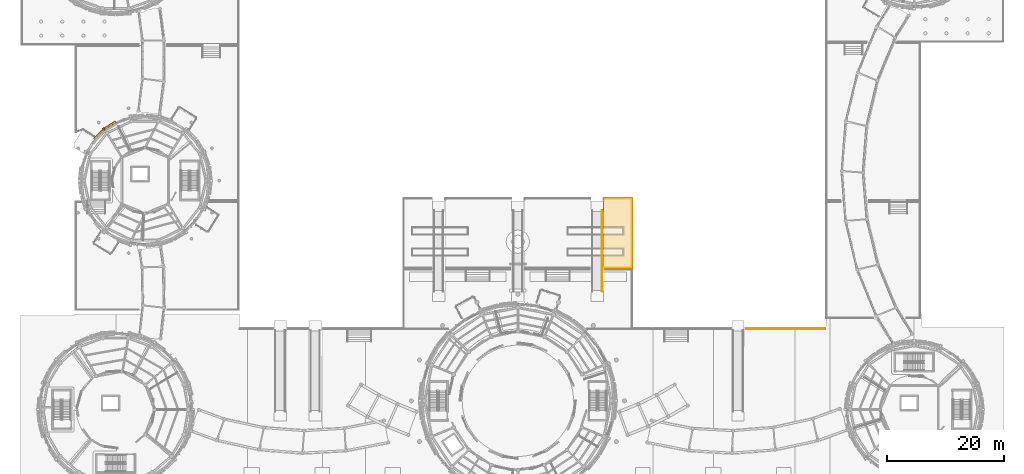
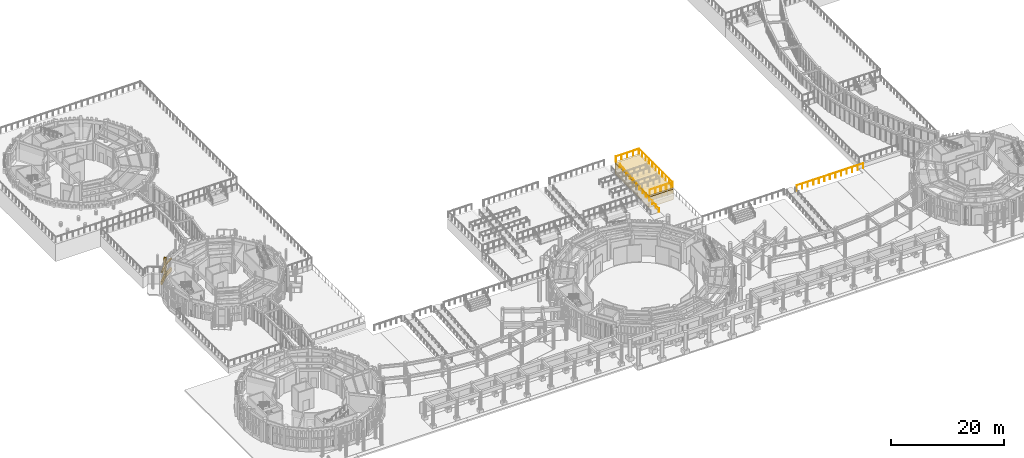
# One storey, part 81 of 94: 7 coverings, 5 railings.
"""IFC4 building model written with IfcOpenShell, lengths in metres."""

from ifc_helpers import new_model, si_unit, direction, frame, origin, origin_2d, place, context, subcontext, project, spatial, polyline, rectangle, circle, outline, extrude, material, layer, layer_set, type_object, element, save


model = new_model("IFC4")

# Units and contexts
model_context = context("Model", 3, precision=1e-05, world=origin(), true_north=direction((0.0, 1.0)))
body_context = subcontext(model_context, "Body", "Model", "MODEL_VIEW")
ifc_project = project(units=[si_unit("LENGTHUNIT", "METRE"), si_unit("AREAUNIT", "SQUARE_METRE"), si_unit("VOLUMEUNIT", "CUBIC_METRE"), si_unit("PLANEANGLEUNIT", "RADIAN"), si_unit("MASSUNIT", "GRAM", prefix="KILO")], contexts=[model_context])

# Site, building, storey
site_placement = place(None, origin())
site = spatial("IfcSite", under=ifc_project, at=site_placement, CompositionType="ELEMENT")
building_placement = place(site_placement, origin())
building = spatial("IfcBuilding", under=site, at=building_placement, Name="Aldenvaro Health Centre", CompositionType="ELEMENT")
storey_placement = place(building_placement, origin())
storey = spatial("IfcBuildingStorey", under=building, at=storey_placement, Name="L00", CompositionType="ELEMENT", Elevation=0.0)

# Coverings
ifc_material_1 = material(Name="Honed Sonoran Buff Limestone", Category="masonry")
ifc_layer_1 = layer(ifc_material_1, 0.280029296875, Name="Honed Sonoran Buff Limestone", Category="masonry")
ifc_layer_set_1 = layer_set([ifc_layer_1], Name="Honed Sonoran Buff Limestone")
covering_type_1 = type_object("IfcCoveringType", Name="COV-CRN-STN", PredefinedType="CLADDING", material=ifc_layer_set_1)
covering_1_placement = place(storey_placement, frame((15.60107421875, 65.39892578125, 0.0), z_axis=(0.0, 0.0, 1.0), x_axis=(0.707106781187, 0.707106781187, 0.0)))
element("IfcCovering", 1, at=covering_1_placement, inside=storey, type_object=covering_type_1, Name="D3 L00 Rusticated Limestone Plinth 18.1", PredefinedType="CLADDING", context=body_context, shape_type="SweptSolid", body=[
    extrude(rectangle(XDim=2.160888671875, YDim=0.340087890625, at=origin_2d()), origin(), (0.0, 0.0, 1.0), 0.719970703125),
])
covering_2_placement = place(storey_placement, frame((15.6220703125, 65.3779296875, 2.5498046875), z_axis=(0.0, 0.0, 1.0), x_axis=(0.707106781187, 0.707106781187, 0.0)))
element("IfcCovering", 2, at=covering_2_placement, inside=storey, type_object=covering_type_1, Name="D3 L00 Rusticated Limestone Plinth 18.2", PredefinedType="CLADDING", context=body_context, shape_type="SweptSolid", body=[
    extrude(rectangle(XDim=2.160888671875, YDim=0.280029296875, at=origin_2d()), origin(), (0.0, 0.0, 1.0), 0.280029296875),
])
covering_3_placement = place(storey_placement, frame((17.556884765625, 66.958984375, 0.0), z_axis=(0.0, 0.0, 1.0), x_axis=(0.846684003256, 0.532096042675, 0.0)))
element("IfcCovering", 3, at=covering_3_placement, inside=storey, type_object=covering_type_1, Name="D3 L00 Rusticated Limestone Plinth 19.1", PredefinedType="CLADDING", context=body_context, shape_type="SweptSolid", body=[
    extrude(rectangle(XDim=2.160888671875, YDim=0.340087890625, at=origin_2d()), origin(), (0.0, 0.0, 1.0), 0.719970703125),
])
covering_4_placement = place(storey_placement, frame((17.572998046875, 66.93408203125, 2.5498046875), z_axis=(0.0, 0.0, 1.0), x_axis=(0.846684003256, 0.532096042675, 0.0)))
element("IfcCovering", 4, at=covering_4_placement, inside=storey, type_object=covering_type_1, Name="D3 L00 Rusticated Limestone Plinth 19.2", PredefinedType="CLADDING", context=body_context, shape_type="SweptSolid", body=[
    extrude(rectangle(XDim=2.160888671875, YDim=0.280029296875, at=origin_2d()), origin(), (0.0, 0.0, 1.0), 0.280029296875),
])
covering_5_placement = place(storey_placement, frame((16.491943359375, 66.2880859375, -0.00048828125), z_axis=(0.0, 0.0, 1.0), x_axis=(-0.623485976143, 0.781834533359, 0.0)))
element("IfcCovering", 5, at=covering_5_placement, inside=storey, type_object=covering_type_1, Name="D3 L00 Engaged Classical Limestone Pilaster 10", PredefinedType="CLADDING", context=body_context, shape_type="SweptSolid", body=[
    extrude(rectangle(XDim=0.43994140625, YDim=0.3798828125, at=origin_2d()), origin(), (0.0, 0.0, 1.0), 4.304931640625),
])
covering_6_placement = place(storey_placement, frame((0.0, 0.0, -0.320068359375)))
element("IfcCovering", 6, at=covering_6_placement, inside=storey, type_object=covering_type_1, Name="Upper Amphitheatre Therapy Garden Terrace Rusticated Foothill Stone Plinth 1", PredefinedType="CLADDING", context=body_context, shape_type="SweptSolid", body=[
    extrude(outline(polyline([(106.550048828125, 54.60009765625), (106.550048828125, 42.5), (101.56005859375, 42.5), (101.56005859375, 54.60009765625), (106.550048828125, 54.60009765625)])), origin(), (0.0, 0.0, 1.0), 2.300048828125),
])
ifc_material_2 = material(Name="Honed Sonoran Buff Travertine", Category="masonry")
ifc_layer_2 = layer(ifc_material_2, 0.320068359375, Name="Honed Sonoran Buff Travertine", Category="masonry")
ifc_layer_set_2 = layer_set([ifc_layer_2], Name="Honed Sonoran Buff Travertine")
covering_type_2 = type_object("IfcCoveringType", Name="COV-POD-320", PredefinedType="FLOORING", material=ifc_layer_set_2)
covering_7_placement = place(storey_placement, frame((0.0, 0.0, 1.97998046875)))
element("IfcCovering", 7, at=covering_7_placement, inside=storey, type_object=covering_type_2, Name="Upper Amphitheatre Therapy Garden Terrace Coping Deck 1", PredefinedType="FLOORING", context=body_context, shape_type="SweptSolid", body=[
    extrude(outline(polyline([(106.550048828125, 54.60009765625), (106.550048828125, 42.5), (101.56005859375, 42.5), (101.56005859375, 54.60009765625), (106.550048828125, 54.60009765625)])), origin(), (0.0, 0.0, 1.0), 0.320068359375),
])

# Railings
ifc_material_3 = material(Name="Painted Architectural Steel", Category="steel")
railing_type_1 = type_object("IfcRailingType", Name="RL-BAL-110", PredefinedType="GUARDRAIL", material=ifc_material_3)
railing_1_placement = place(storey_placement, frame((125.800048828125, 32.25, 1.14990234375)))
element("IfcRailing", 8, at=railing_1_placement, inside=storey, type_object=railing_type_1, Name="Stepped Garden Terrace Balustrade T2M-5", PredefinedType="GUARDRAIL", context=body_context, shape_type="SweptSolid", body=[
    extrude(circle(Radius=0.02392578125, at=origin_2d()), frame((0.0, 0.0, 1.09619140625), z_axis=(1.0, 0.0, 0.0), x_axis=(0.0, 1.0, 0.0)), (0.0, 0.0, 1.0), 13.575927734375),
    extrude(circle(Radius=0.02099609375, at=origin_2d()), origin(), (0.0, 0.0, 1.0), 1.072021484375),
    extrude(circle(Radius=0.02099609375, at=origin_2d()), frame((1.13134765625, 0.0, 0.0)), (0.0, 0.0, 1.0), 1.072021484375),
    extrude(circle(Radius=0.02099609375, at=origin_2d()), frame((2.2626953125, 0.0, 0.0)), (0.0, 0.0, 1.0), 1.072021484375),
    extrude(circle(Radius=0.02099609375, at=origin_2d()), frame((3.39404296875, 0.0, 0.0)), (0.0, 0.0, 1.0), 1.072021484375),
    extrude(circle(Radius=0.02099609375, at=origin_2d()), frame((4.525390625, 0.0, 0.0)), (0.0, 0.0, 1.0), 1.072021484375),
    extrude(circle(Radius=0.02099609375, at=origin_2d()), frame((5.65673828125, 0.0, 0.0)), (0.0, 0.0, 1.0), 1.072021484375),
    extrude(circle(Radius=0.02099609375, at=origin_2d()), frame((6.7880859375, 0.0, 0.0)), (0.0, 0.0, 1.0), 1.072021484375),
    extrude(circle(Radius=0.02099609375, at=origin_2d()), frame((7.919189453125, 0.0, 0.0)), (0.0, 0.0, 1.0), 1.072021484375),
    extrude(circle(Radius=0.02099609375, at=origin_2d()), frame((9.050537109375, 0.0, 0.0)), (0.0, 0.0, 1.0), 1.072021484375),
    extrude(circle(Radius=0.02099609375, at=origin_2d()), frame((10.181884765625, 0.0, 0.0)), (0.0, 0.0, 1.0), 1.072021484375),
    extrude(circle(Radius=0.02099609375, at=origin_2d()), frame((11.313232421875, 0.0, 0.0)), (0.0, 0.0, 1.0), 1.072021484375),
    extrude(circle(Radius=0.02099609375, at=origin_2d()), frame((12.444580078125, 0.0, 0.0)), (0.0, 0.0, 1.0), 1.072021484375),
    extrude(circle(Radius=0.02099609375, at=origin_2d()), frame((13.575927734375, 0.0, 0.0)), (0.0, 0.0, 1.0), 1.072021484375),
])
railing_2_placement = place(storey_placement, frame((101.800048828125, 42.64990234375, 2.300048828125)))
element("IfcRailing", 9, at=railing_2_placement, inside=storey, type_object=railing_type_1, Name="Stepped Garden Terrace Balustrade T3N-4", PredefinedType="GUARDRAIL", context=body_context, shape_type="SweptSolid", body=[
    extrude(circle(Radius=0.02392578125, at=origin_2d()), frame((0.0, 0.0, 1.09619140625), z_axis=(1.0, 0.0, 0.0), x_axis=(0.0, 1.0, 0.0)), (0.0, 0.0, 1.0), 4.3759765625),
    extrude(circle(Radius=0.02099609375, at=origin_2d()), origin(), (0.0, 0.0, 1.0), 1.072021484375),
    extrude(circle(Radius=0.02099609375, at=origin_2d()), frame((1.093994140625, 0.0, 0.0)), (0.0, 0.0, 1.0), 1.072021484375),
    extrude(circle(Radius=0.02099609375, at=origin_2d()), frame((2.18798828125, 0.0, 0.0)), (0.0, 0.0, 1.0), 1.072021484375),
    extrude(circle(Radius=0.02099609375, at=origin_2d()), frame((3.281982421875, 0.0, 0.0)), (0.0, 0.0, 1.0), 1.072021484375),
    extrude(circle(Radius=0.02099609375, at=origin_2d()), frame((4.3759765625, 0.0, 0.0)), (0.0, 0.0, 1.0), 1.072021484375),
])
railing_type_2 = type_object("IfcRailingType", Name="RL-BAL-115", PredefinedType="GUARDRAIL", material=ifc_material_3)
railing_3_placement = place(storey_placement, frame((106.429931640625, 54.47998046875, 2.300048828125)))
element("IfcRailing", 10, at=railing_3_placement, inside=storey, type_object=railing_type_2, Name="Upper Amphitheatre Therapy Garden Terrace Classical Balustrade 21", PredefinedType="GUARDRAIL", context=body_context, shape_type="SweptSolid", body=[
    extrude(circle(Radius=0.02392578125, at=origin_2d()), frame((0.0, 0.0, 1.1357421875), z_axis=(0.0, -1.0, 0.0), x_axis=(1.0, 0.0, 0.0)), (0.0, 0.0, 1.0), 11.85986328125),
    extrude(circle(Radius=0.02392578125, at=origin_2d()), frame((0.0, -11.85986328125, 1.1357421875), z_axis=(-1.0, 0.0, 0.0), x_axis=(0.0, -1.0, 0.0)), (0.0, 0.0, 1.0), 4.6298828125),
    extrude(circle(Radius=0.02099609375, at=origin_2d()), origin(), (0.0, 0.0, 1.0), 1.11181640625),
    extrude(circle(Radius=0.02099609375, at=origin_2d()), frame((0.0, -1.18603515625, 0.0)), (0.0, 0.0, 1.0), 1.11181640625),
    extrude(circle(Radius=0.02099609375, at=origin_2d()), frame((0.0, -2.3720703125, 0.0)), (0.0, 0.0, 1.0), 1.11181640625),
    extrude(circle(Radius=0.02099609375, at=origin_2d()), frame((0.0, -3.557861328125, 0.0)), (0.0, 0.0, 1.0), 1.11181640625),
    extrude(circle(Radius=0.02099609375, at=origin_2d()), frame((0.0, -4.743896484375, 0.0)), (0.0, 0.0, 1.0), 1.11181640625),
    extrude(circle(Radius=0.02099609375, at=origin_2d()), frame((0.0, -5.929931640625, 0.0)), (0.0, 0.0, 1.0), 1.11181640625),
    extrude(circle(Radius=0.02099609375, at=origin_2d()), frame((0.0, -7.115966796875, 0.0)), (0.0, 0.0, 1.0), 1.11181640625),
    extrude(circle(Radius=0.02099609375, at=origin_2d()), frame((0.0, -8.302001953125, 0.0)), (0.0, 0.0, 1.0), 1.11181640625),
    extrude(circle(Radius=0.02099609375, at=origin_2d()), frame((0.0, -9.48779296875, 0.0)), (0.0, 0.0, 1.0), 1.11181640625),
    extrude(circle(Radius=0.02099609375, at=origin_2d()), frame((0.0, -10.673828125, 0.0)), (0.0, 0.0, 1.0), 1.11181640625),
    extrude(circle(Radius=0.02099609375, at=origin_2d()), frame((0.0, -11.85986328125, 0.0)), (0.0, 0.0, 1.0), 1.11181640625),
    extrude(circle(Radius=0.02099609375, at=origin_2d()), frame((-1.157470703125, -11.85986328125, 0.0)), (0.0, 0.0, 1.0), 1.11181640625),
    extrude(circle(Radius=0.02099609375, at=origin_2d()), frame((-2.31494140625, -11.85986328125, 0.0)), (0.0, 0.0, 1.0), 1.11181640625),
    extrude(circle(Radius=0.02099609375, at=origin_2d()), frame((-3.472412109375, -11.85986328125, 0.0)), (0.0, 0.0, 1.0), 1.11181640625),
    extrude(circle(Radius=0.02099609375, at=origin_2d()), frame((-4.6298828125, -11.85986328125, 0.0)), (0.0, 0.0, 1.0), 1.11181640625),
])
railing_4_placement = place(storey_placement, frame((101.679931640625, 54.262939453125, 2.300048828125)))
element("IfcRailing", 11, at=railing_4_placement, inside=storey, type_object=railing_type_2, Name="Upper Amphitheatre Therapy Garden Terrace Classical Balustrade 22", PredefinedType="GUARDRAIL", context=body_context, shape_type="SweptSolid", body=[
    extrude(circle(Radius=0.02392578125, at=origin_2d()), frame((0.0, 0.0, 1.1357421875), z_axis=(0.0, 1.0, 0.0), x_axis=(-1.0, 0.0, 0.0)), (0.0, 0.0, 1.0), 0.217041015625),
    extrude(circle(Radius=0.02392578125, at=origin_2d()), frame((0.0, 0.217041015625, 1.1357421875), z_axis=(1.0, 0.0, 0.0), x_axis=(0.0, 1.0, 0.0)), (0.0, 0.0, 1.0), 4.75),
    extrude(circle(Radius=0.02099609375, at=origin_2d()), origin(), (0.0, 0.0, 1.0), 1.11181640625),
    extrude(circle(Radius=0.02099609375, at=origin_2d()), frame((0.0, 0.217041015625, 0.0)), (0.0, 0.0, 1.0), 1.11181640625),
    extrude(circle(Radius=0.02099609375, at=origin_2d()), frame((1.1875, 0.217041015625, 0.0)), (0.0, 0.0, 1.0), 1.11181640625),
    extrude(circle(Radius=0.02099609375, at=origin_2d()), frame((2.375, 0.217041015625, 0.0)), (0.0, 0.0, 1.0), 1.11181640625),
    extrude(circle(Radius=0.02099609375, at=origin_2d()), frame((3.5625, 0.217041015625, 0.0)), (0.0, 0.0, 1.0), 1.11181640625),
    extrude(circle(Radius=0.02099609375, at=origin_2d()), frame((4.75, 0.217041015625, 0.0)), (0.0, 0.0, 1.0), 1.11181640625),
])
railing_type_3 = type_object("IfcRailingType", Name="RL-HND-092", PredefinedType="HANDRAIL", material=ifc_material_3)
railing_5_placement = place(storey_placement, frame((101.340087890625, 38.60009765625, 1.14990234375)))
element("IfcRailing", 12, at=railing_5_placement, inside=storey, type_object=railing_type_3, Name="Stepped Foothill Ramp 5 Handrail R", PredefinedType="HANDRAIL", context=body_context, shape_type="SweptSolid", body=[
    extrude(circle(Radius=0.02392578125, at=origin_2d()), frame((0.0, 0.0, 0.89599609375), z_axis=(0.0, 0.996544785461, 0.083057152436), x_axis=(-1.0, 0.0, 0.0)), (0.0, 0.0, 1.0), 13.84765625),
    extrude(circle(Radius=0.02099609375, at=origin_2d()), origin(), (0.0, 0.0, 1.0), 0.871826171875),
    extrude(circle(Radius=0.02099609375, at=origin_2d()), frame((0.0, 1.14990234375, 0.095947265625)), (0.0, 0.0, 1.0), 0.871826171875),
    extrude(circle(Radius=0.02099609375, at=origin_2d()), frame((0.0, 2.300048828125, 0.191650390625)), (0.0, 0.0, 1.0), 0.871826171875),
    extrude(circle(Radius=0.02099609375, at=origin_2d()), frame((0.0, 3.449951171875, 0.28759765625)), (0.0, 0.0, 1.0), 0.871826171875),
    extrude(circle(Radius=0.02099609375, at=origin_2d()), frame((0.0, 4.599853515625, 0.38330078125)), (0.0, 0.0, 1.0), 0.871826171875),
    extrude(circle(Radius=0.02099609375, at=origin_2d()), frame((0.0, 5.75, 0.479248046875)), (0.0, 0.0, 1.0), 0.871826171875),
    extrude(circle(Radius=0.02099609375, at=origin_2d()), frame((0.0, 6.89990234375, 0.5751953125)), (0.0, 0.0, 1.0), 0.871826171875),
    extrude(circle(Radius=0.02099609375, at=origin_2d()), frame((0.0, 8.0498046875, 0.6708984375)), (0.0, 0.0, 1.0), 0.871826171875),
    extrude(circle(Radius=0.02099609375, at=origin_2d()), frame((0.0, 9.199951171875, 0.766845703125)), (0.0, 0.0, 1.0), 0.871826171875),
    extrude(circle(Radius=0.02099609375, at=origin_2d()), frame((0.0, 10.349853515625, 0.862548828125)), (0.0, 0.0, 1.0), 0.871826171875),
    extrude(circle(Radius=0.02099609375, at=origin_2d()), frame((0.0, 11.499755859375, 0.95849609375)), (0.0, 0.0, 1.0), 0.871826171875),
    extrude(circle(Radius=0.02099609375, at=origin_2d()), frame((0.0, 12.64990234375, 1.05419921875)), (0.0, 0.0, 1.0), 0.871826171875),
    extrude(circle(Radius=0.02099609375, at=origin_2d()), frame((0.0, 13.7998046875, 1.150146484375)), (0.0, 0.0, 1.0), 0.871826171875),
])

save(model, "model.ifc")
